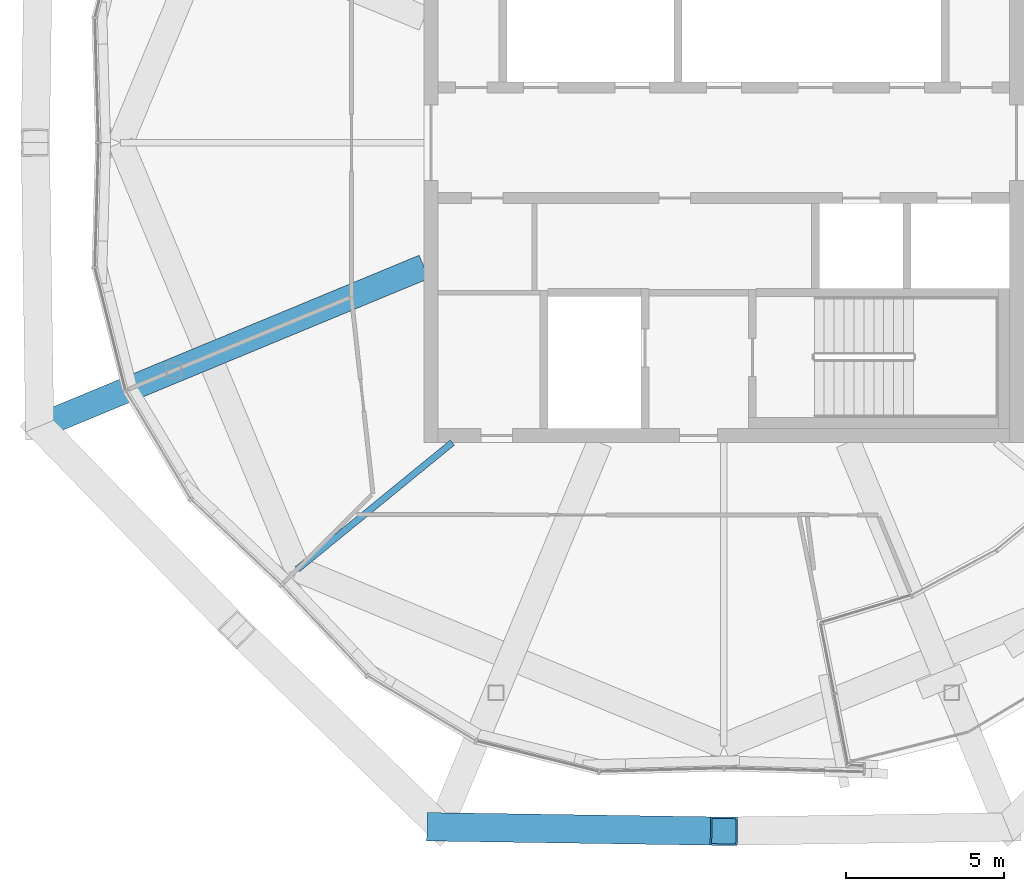
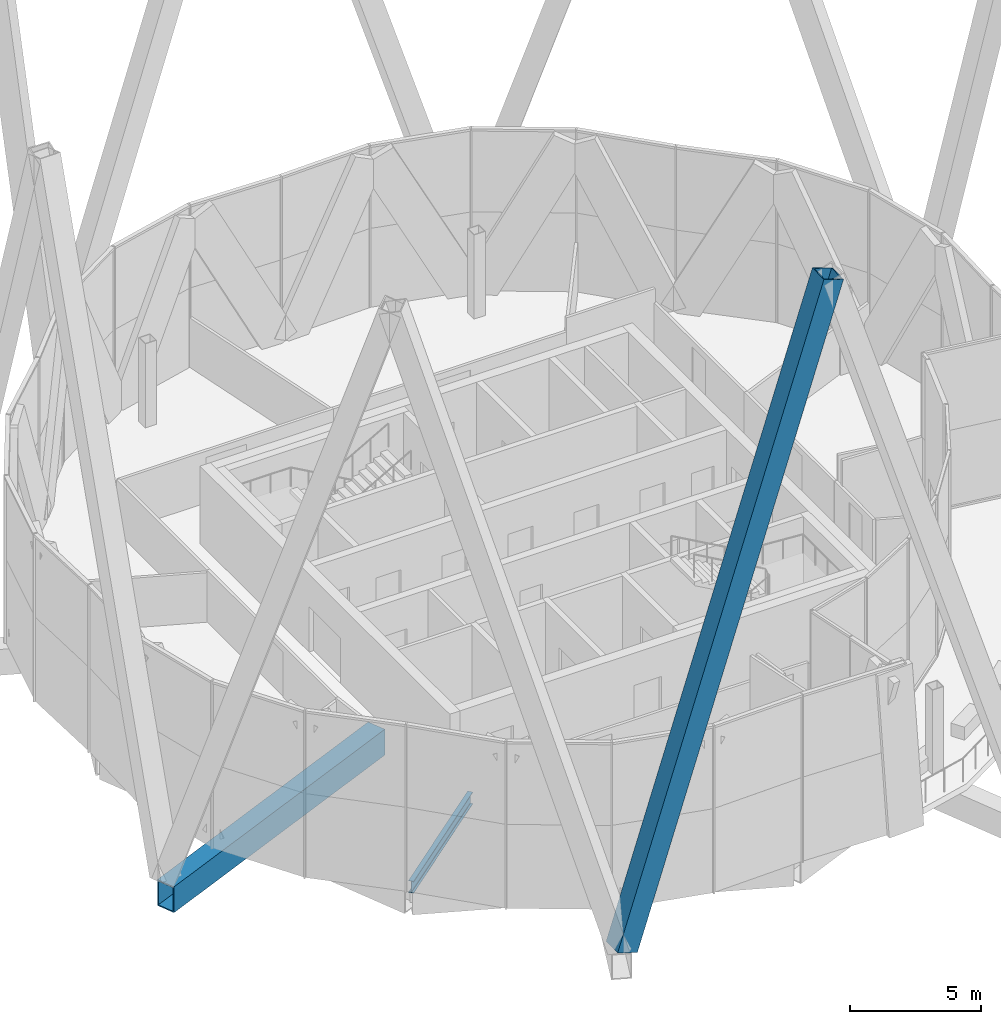
# One storey, part 5 of 53: 2 beams, 1 member.
"""IFC4 building model written with IfcOpenShell, lengths in metres."""

from ifc_helpers import new_model, si_unit, direction, frame, origin, origin_2d, place, context, subcontext, project, spatial, hollow_rectangle, i_section, extrude, material, material_profile, profile_set, type_object, element, save


model = new_model("IFC4")

# Units and contexts
model_context = context("Model", 3, precision=1e-05, world=origin(), true_north=direction((0.0, 1.0)))
body_context = subcontext(model_context, "Body", "Model", "MODEL_VIEW")
ifc_project = project(units=[si_unit("LENGTHUNIT", "METRE"), si_unit("AREAUNIT", "SQUARE_METRE"), si_unit("VOLUMEUNIT", "CUBIC_METRE"), si_unit("PLANEANGLEUNIT", "RADIAN"), si_unit("MASSUNIT", "GRAM", prefix="KILO")], contexts=[model_context])

# Site, building, storey
site_placement = place(None, origin())
site = spatial("IfcSite", under=ifc_project, at=site_placement, CompositionType="ELEMENT")
building_placement = place(site_placement, origin())
building = spatial("IfcBuilding", under=site, at=building_placement, Name="Ogive Gate Towers", CompositionType="ELEMENT")
storey_placement = place(building_placement, frame((0.0, 0.0, 240.60009765625)))
storey = spatial("IfcBuildingStorey", under=building, at=storey_placement, Name="L57", CompositionType="ELEMENT", Elevation=240.60009765625)

# Member
ifc_material_1 = material(Name="Steel SM460", Category="steel")
ifc_material_profile_1 = material_profile(ifc_material_1, hollow_rectangle(XDim=0.89990234375, YDim=0.89990234375, WallThickness=0.050048828125, at=origin_2d()), Name="BX 900x900x50")
ifc_profile_set_1 = profile_set([ifc_material_profile_1], Name="Steel SM460")
member_type = type_object("IfcMemberType", Name="Diagrid diagonal BX 900x900x50", PredefinedType="BRACE", material=ifc_profile_set_1)
member_placement = place(storey_placement, frame((-44.977783203125, -21.67431640625, 0.0), z_axis=(0.303356073086, -0.00458667981, 0.952866231582), x_axis=(0.015118061019, 0.999885715585, 0.0)))
element("IfcMember", 1, at=member_placement, inside=storey, type_object=member_type, Name="T1/L57/SDG012", PredefinedType="BRACE", context=body_context, shape_type="SweptSolid", body=[
    extrude(hollow_rectangle(XDim=0.89990234375, YDim=0.89990234375, WallThickness=0.050048828125, at=origin_2d()), origin(), (0.0, 0.0, 1.0), 29.594970703125),
])

# Beams
ifc_material_2 = material(Name="Steel SM355", Category="steel")
ifc_material_profile_2 = material_profile(ifc_material_2, i_section(OverallWidth=0.2099609375, OverallDepth=0.550048828125, WebThickness=0.010986328125, FlangeThickness=0.01708984375, FilletRadius=0.02392578125, at=origin_2d()), Name="IPE 550")
ifc_profile_set_2 = profile_set([ifc_material_profile_2], Name="Steel SM355")
beam_type_1 = type_object("IfcBeamType", Name="Radial floor beam IPE 550", PredefinedType="BEAM", material=ifc_profile_set_2)
beam_1_placement = place(storey_placement, frame((-44.60009765625, -9.5, -0.5751953125), z_axis=(-0.774474926523, -0.632604606517, 0.0), x_axis=(0.632604606517, -0.774474926523, 0.0)))
element("IfcBeam", 2, at=beam_1_placement, inside=storey, type_object=beam_type_1, Name="T1/L57/SBM001", PredefinedType="BEAM", context=body_context, shape_type="SweptSolid", body=[
    extrude(i_section(OverallWidth=0.2099609375, OverallDepth=0.550048828125, WebThickness=0.010986328125, FlangeThickness=0.01708984375, FilletRadius=0.02392578125, at=origin_2d()), origin(), (0.0, 0.0, 1.0), 6.343017578125),
])
ifc_material_profile_3 = material_profile(ifc_material_1, hollow_rectangle(XDim=0.800048828125, YDim=1.199951171875, WallThickness=0.050048828125, at=origin_2d()), Name="BX 1200x800x50")
ifc_profile_set_3 = profile_set([ifc_material_profile_3], Name="Steel SM460")
beam_type_2 = type_object("IfcBeamType", Name="Transfer radial beam BX 1200x800x50", PredefinedType="BEAM", material=ifc_profile_set_3)
beam_2_placement = place(storey_placement, frame((-45.5, -3.93505859375, -0.900146484375), z_axis=(-0.923880669006, -0.382680688612, 0.0), x_axis=(0.382680688612, -0.923880669006, 0.0)))
element("IfcBeam", 3, at=beam_2_placement, inside=storey, type_object=beam_type_2, Name="T1/L57/SBM016", PredefinedType="BEAM", context=body_context, shape_type="SweptSolid", body=[
    extrude(hollow_rectangle(XDim=0.800048828125, YDim=1.199951171875, WallThickness=0.050048828125, at=origin_2d()), origin(), (0.0, 0.0, 1.0), 13.177490234375),
])

save(model, "model.ifc")
